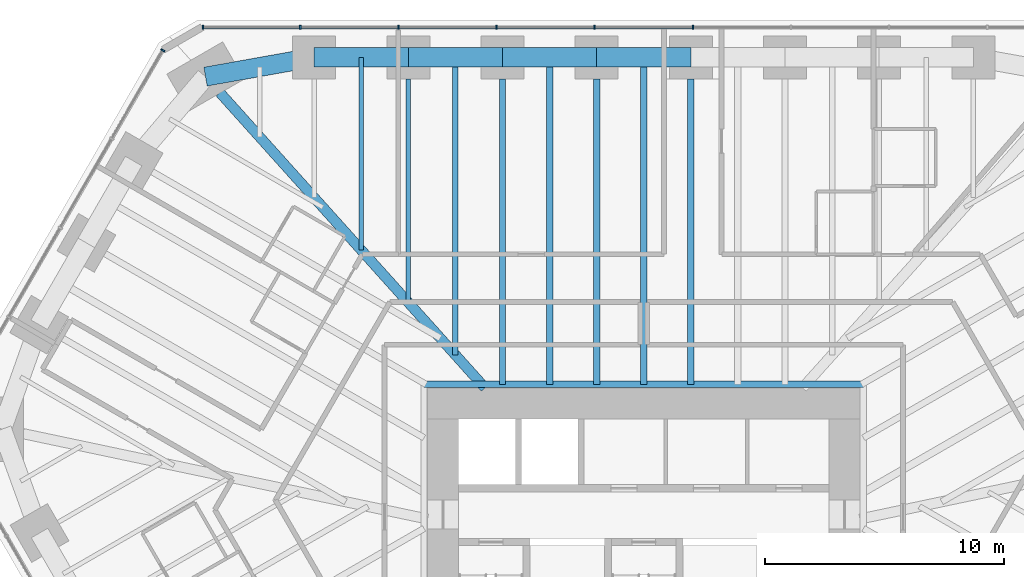
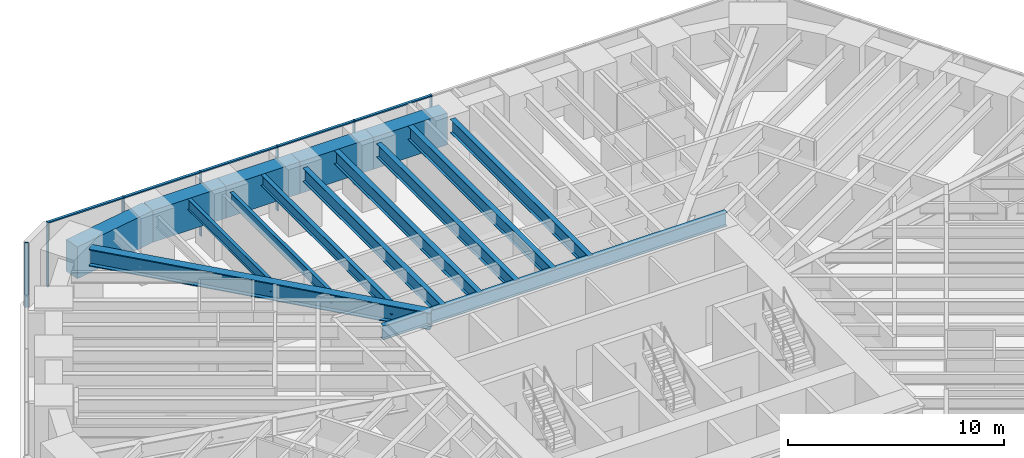
# One storey, part 8 of 16: 15 beams, 12 members, 2 elements without a shape of their own.
"""IFC4 building model written with IfcOpenShell, lengths in metres."""

from ifc_helpers import new_model, si_unit, direction, frame, origin, origin_2d, place, context, subcontext, project, spatial, rectangle, i_section, extrude, material, material_profile, profile_set, type_object, element, aggregate, save


model = new_model("IFC4")

# Units and contexts
model_context = context("Model", 3, precision=1e-05, world=origin(), true_north=direction((0.0, 1.0)))
body_context = subcontext(model_context, "Body", "Model", "MODEL_VIEW")
ifc_project = project(units=[si_unit("LENGTHUNIT", "METRE"), si_unit("AREAUNIT", "SQUARE_METRE"), si_unit("VOLUMEUNIT", "CUBIC_METRE"), si_unit("PLANEANGLEUNIT", "RADIAN"), si_unit("MASSUNIT", "GRAM", prefix="KILO")], contexts=[model_context])

# Site, building, storey
site_placement = place(None, origin())
site = spatial("IfcSite", under=ifc_project, at=site_placement, CompositionType="ELEMENT")
building_placement = place(site_placement, origin())
building = spatial("IfcBuilding", under=site, at=building_placement, Name="Sandreach Pilgrim Tower", CompositionType="ELEMENT")
storey_placement = place(building_placement, frame((0.0, 0.0, 134.800048828125)))
storey = spatial("IfcBuildingStorey", under=building, at=storey_placement, Name="L33", CompositionType="ELEMENT", Elevation=134.800048828125)

# Curtain wall, members
ifc_material_1 = material(Name="Aluminium framed curtain wall", Category="aluminium")
curtain_wall_type = type_object("IfcCurtainWallType", Name="Hotel tower curtain wall", PredefinedType="NOTDEFINED", material=ifc_material_1)
curtain_wall_1_placement = place(storey_placement, origin())
curtain_wall_1 = element("IfcCurtainWall", 1, at=curtain_wall_1_placement, inside=storey, type_object=curtain_wall_type, Name="CW-2 L33 N", PredefinedType="NOTDEFINED")
ifc_material_2 = material(Name="Aluminium extrusion", Category="aluminium")
ifc_material_profile_1 = material_profile(ifc_material_2, rectangle(XDim=0.06494140625, YDim=0.179931640625, at=origin_2d()), Name="CW-2M 65X180")
ifc_profile_set_1 = profile_set([ifc_material_profile_1], Name="Aluminium extrusion")
member_type_1 = type_object("IfcMemberType", Name="CW-2 mullion", PredefinedType="MULLION", material=ifc_profile_set_1)
member_1_placement = place(storey_placement, frame((-18.448974609375, 22.493896484375, 0.0), z_axis=(0.0, 0.0, 1.0), x_axis=(1.0, 0.0, 0.0)))
member_1 = element("IfcMember", 2, at=member_1_placement, type_object=member_type_1, Name="CW-2 mullion 1", PredefinedType="MULLION", context=body_context, shape_type="SweptSolid", body=[
    extrude(rectangle(XDim=0.06494140625, YDim=0.179931640625, at=origin_2d()), origin(), (0.0, 0.0, 1.0), 3.639892578125),
])
member_2_placement = place(storey_placement, frame((-14.37451171875, 22.493896484375, 0.0), z_axis=(0.0, 0.0, 1.0), x_axis=(1.0, 0.0, 0.0)))
member_2 = element("IfcMember", 3, at=member_2_placement, type_object=member_type_1, Name="CW-2 mullion 2", PredefinedType="MULLION", context=body_context, shape_type="SweptSolid", body=[
    extrude(rectangle(XDim=0.06494140625, YDim=0.179931640625, at=origin_2d()), origin(), (0.0, 0.0, 1.0), 3.639892578125),
])
member_3_placement = place(storey_placement, frame((-10.267333984375, 22.493896484375, 0.0), z_axis=(0.0, 0.0, 1.0), x_axis=(1.0, 0.0, 0.0)))
member_3 = element("IfcMember", 4, at=member_3_placement, type_object=member_type_1, Name="CW-2 mullion 3", PredefinedType="MULLION", context=body_context, shape_type="SweptSolid", body=[
    extrude(rectangle(XDim=0.06494140625, YDim=0.179931640625, at=origin_2d()), origin(), (0.0, 0.0, 1.0), 3.639892578125),
])
member_4_placement = place(storey_placement, frame((-6.160400390625, 22.493896484375, 0.0), z_axis=(0.0, 0.0, 1.0), x_axis=(1.0, 0.0, 0.0)))
member_4 = element("IfcMember", 5, at=member_4_placement, type_object=member_type_1, Name="CW-2 mullion 4", PredefinedType="MULLION", context=body_context, shape_type="SweptSolid", body=[
    extrude(rectangle(XDim=0.06494140625, YDim=0.179931640625, at=origin_2d()), origin(), (0.0, 0.0, 1.0), 3.639892578125),
])
member_5_placement = place(storey_placement, frame((-2.053466796875, 22.493896484375, 0.0), z_axis=(0.0, 0.0, 1.0), x_axis=(1.0, 0.0, 0.0)))
member_5 = element("IfcMember", 6, at=member_5_placement, type_object=member_type_1, Name="CW-2 mullion 5", PredefinedType="MULLION", context=body_context, shape_type="SweptSolid", body=[
    extrude(rectangle(XDim=0.06494140625, YDim=0.179931640625, at=origin_2d()), origin(), (0.0, 0.0, 1.0), 3.639892578125),
])
member_6_placement = place(storey_placement, frame((2.053466796875, 22.493896484375, 0.0), z_axis=(0.0, 0.0, 1.0), x_axis=(1.0, 0.0, 0.0)))
member_6 = element("IfcMember", 7, at=member_6_placement, type_object=member_type_1, Name="CW-2 mullion 6", PredefinedType="MULLION", context=body_context, shape_type="SweptSolid", body=[
    extrude(rectangle(XDim=0.06494140625, YDim=0.179931640625, at=origin_2d()), origin(), (0.0, 0.0, 1.0), 3.639892578125),
])

# Curtain wall, member
curtain_wall_2_placement = place(storey_placement, origin())
curtain_wall_2 = element("IfcCurtainWall", 8, at=curtain_wall_2_placement, inside=storey, type_object=curtain_wall_type, Name="CW-2 L33 NW", PredefinedType="NOTDEFINED")
member_7_placement = place(storey_placement, frame((-20.125732421875, 21.525634765625, 0.0), z_axis=(0.0, 0.0, 1.0), x_axis=(0.5, 0.866025403784, 0.0)))
member_7 = element("IfcMember", 9, at=member_7_placement, type_object=member_type_1, Name="CW-2 mullion 5", PredefinedType="MULLION", context=body_context, shape_type="SweptSolid", body=[
    extrude(rectangle(XDim=0.06494140625, YDim=0.179931640625, at=origin_2d()), origin(), (0.0, 0.0, 1.0), 3.639892578125),
])
aggregate(curtain_wall_2, [member_7])

# Member
ifc_material_3 = material(Name="Aluminium extrusion", Category="aluminium")
ifc_material_profile_2 = material_profile(ifc_material_3, rectangle(XDim=0.139892578125, YDim=0.070068359375, at=origin_2d()), Name="CW-2T 140X70")
ifc_profile_set_2 = profile_set([ifc_material_profile_2], Name="Aluminium extrusion")
member_type_2 = type_object("IfcMemberType", Name="CW-2 transom", PredefinedType="USERDEFINED", material=ifc_profile_set_2)
member_8_placement = place(storey_placement, frame((-18.416259765625, 22.493896484375, 3.60498046875), z_axis=(1.0, 0.0, 0.0), x_axis=(0.0, 1.0, 0.0)))
member_8 = element("IfcMember", 10, at=member_8_placement, type_object=member_type_2, Name="CW-2 head transom 1", ObjectType="TRANSOM", PredefinedType="USERDEFINED", context=body_context, shape_type="SweptSolid", body=[
    extrude(rectangle(XDim=0.139892578125, YDim=0.070068359375, at=origin_2d()), origin(), (0.0, 0.0, 1.0), 4.00927734375),
])

member_9_placement = place(storey_placement, frame((-14.341796875, 22.493896484375, 3.60498046875), z_axis=(1.0, 0.0, 0.0), x_axis=(0.0, 1.0, 0.0)))
member_9 = element("IfcMember", 11, at=member_9_placement, type_object=member_type_2, Name="CW-2 head transom 2", ObjectType="TRANSOM", PredefinedType="USERDEFINED", context=body_context, shape_type="SweptSolid", body=[
    extrude(rectangle(XDim=0.139892578125, YDim=0.070068359375, at=origin_2d()), origin(), (0.0, 0.0, 1.0), 4.041748046875),
])

member_10_placement = place(storey_placement, frame((-10.23486328125, 22.493896484375, 3.60498046875), z_axis=(1.0, 0.0, 0.0), x_axis=(0.0, 1.0, 0.0)))
member_10 = element("IfcMember", 12, at=member_10_placement, type_object=member_type_2, Name="CW-2 head transom 3", ObjectType="TRANSOM", PredefinedType="USERDEFINED", context=body_context, shape_type="SweptSolid", body=[
    extrude(rectangle(XDim=0.139892578125, YDim=0.070068359375, at=origin_2d()), origin(), (0.0, 0.0, 1.0), 4.0419921875),
])

member_11_placement = place(storey_placement, frame((-6.1279296875, 22.493896484375, 3.60498046875), z_axis=(1.0, 0.0, 0.0), x_axis=(0.0, 1.0, 0.0)))
member_11 = element("IfcMember", 13, at=member_11_placement, type_object=member_type_2, Name="CW-2 head transom 4", ObjectType="TRANSOM", PredefinedType="USERDEFINED", context=body_context, shape_type="SweptSolid", body=[
    extrude(rectangle(XDim=0.139892578125, YDim=0.070068359375, at=origin_2d()), origin(), (0.0, 0.0, 1.0), 4.0419921875),
])

member_12_placement = place(storey_placement, frame((-2.02099609375, 22.493896484375, 3.60498046875), z_axis=(1.0, 0.0, 0.0), x_axis=(0.0, 1.0, 0.0)))
member_12 = element("IfcMember", 14, at=member_12_placement, type_object=member_type_2, Name="CW-2 head transom 5", ObjectType="TRANSOM", PredefinedType="USERDEFINED", context=body_context, shape_type="SweptSolid", body=[
    extrude(rectangle(XDim=0.139892578125, YDim=0.070068359375, at=origin_2d()), origin(), (0.0, 0.0, 1.0), 4.0419921875),
])

aggregate(curtain_wall_1, [member_1, member_2, member_3, member_4, member_5, member_6, member_8, member_9, member_10, member_11, member_12])

# Beams
ifc_material_4 = material(Name="Steel ASTM A992 Grade 50", Category="steel")
ifc_material_profile_3 = material_profile(ifc_material_4, i_section(OverallWidth=0.2666015625, OverallDepth=0.77978515625, WebThickness=0.0166015625, FlangeThickness=0.030029296875, at=origin_2d()), Name="W30X148")
ifc_profile_set_3 = profile_set([ifc_material_profile_3], Name="Steel ASTM A992 Grade 50")
beam_type_1 = type_object("IfcBeamType", Name="Core edge beam W30X148", PredefinedType="BEAM", material=ifc_profile_set_3)
beam_1_placement = place(storey_placement, frame((-9.193359375, 7.54345703125, 3.25), z_axis=(1.0, 0.0, 0.0), x_axis=(0.0, 1.0, 0.0)))
element("IfcBeam", 15, at=beam_1_placement, inside=storey, type_object=beam_type_1, Name="BM L33 CEN", PredefinedType="BEAM", context=body_context, shape_type="SweptSolid", body=[
    extrude(i_section(OverallWidth=0.2666015625, OverallDepth=0.77978515625, WebThickness=0.0166015625, FlangeThickness=0.030029296875, at=origin_2d()), origin(), (0.0, 0.0, 1.0), 18.38671875),
])
ifc_material_5 = material(Name="Steel ASTM A992 Grade 50", Category="steel")
ifc_material_profile_4 = material_profile(ifc_material_5, i_section(OverallWidth=0.424072265625, OverallDepth=0.965087890625, WebThickness=0.028564453125, FlangeThickness=0.051025390625, at=origin_2d()), Name="W36X361")
ifc_profile_set_4 = profile_set([ifc_material_profile_4], Name="Steel ASTM A992 Grade 50")
beam_type_2 = type_object("IfcBeamType", Name="Corner girder W36X361", PredefinedType="BEAM", material=ifc_profile_set_4)
beam_2_placement = place(storey_placement, frame((-17.738037109375, 19.754150390625, 3.157470703125), z_axis=(0.66811374471, -0.74405915365, 0.0), x_axis=(0.74405915365, 0.66811374471, 0.0)))
element("IfcBeam", 16, at=beam_2_placement, inside=storey, type_object=beam_type_2, Name="BM L33 CG39", PredefinedType="BEAM", context=body_context, shape_type="SweptSolid", body=[
    extrude(i_section(OverallWidth=0.424072265625, OverallDepth=0.965087890625, WebThickness=0.028564453125, FlangeThickness=0.051025390625, at=origin_2d()), origin(), (0.0, 0.0, 1.0), 16.603759765625),
])
ifc_material_6 = material(Name="Steel ASTM A992 Grade 50", Category="steel")
ifc_material_profile_5 = material_profile(ifc_material_6, i_section(OverallWidth=0.1787109375, OverallDepth=0.60205078125, WebThickness=0.010986328125, FlangeThickness=0.014892578125, at=origin_2d()), Name="W24X62")
ifc_profile_set_5 = profile_set([ifc_material_profile_5], Name="Steel ASTM A992 Grade 50")
beam_type_3 = type_object("IfcBeamType", Name="Floor beam W24X62", PredefinedType="BEAM", material=ifc_profile_set_5)
beam_3_placement = place(storey_placement, frame((-9.849853515625, 20.333740234375, 3.3388671875), z_axis=(0.0, -1.0, 0.0), x_axis=(1.0, 0.0, 0.0)))
element("IfcBeam", 17, at=beam_3_placement, inside=storey, type_object=beam_type_3, Name="BM L33 F02", PredefinedType="BEAM", context=body_context, shape_type="SweptSolid", body=[
    extrude(i_section(OverallWidth=0.1787109375, OverallDepth=0.60205078125, WebThickness=0.010986328125, FlangeThickness=0.014892578125, at=origin_2d()), origin(), (0.0, 0.0, 1.0), 9.3642578125),
])
beam_4_placement = place(storey_placement, frame((-11.81982421875, 21.23388671875, 3.3388671875), z_axis=(0.0, -1.0, 0.0), x_axis=(1.0, 0.0, 0.0)))
element("IfcBeam", 18, at=beam_4_placement, inside=storey, type_object=beam_type_3, Name="BM L33 FM01", PredefinedType="BEAM", context=body_context, shape_type="SweptSolid", body=[
    extrude(i_section(OverallWidth=0.1787109375, OverallDepth=0.60205078125, WebThickness=0.010986328125, FlangeThickness=0.014892578125, at=origin_2d()), origin(), (0.0, 0.0, 1.0), 8.070556640625),
])
ifc_material_7 = material(Name="Steel ASTM A992 Grade 50", Category="steel")
ifc_material_profile_6 = material_profile(ifc_material_7, i_section(OverallWidth=0.23046875, OverallDepth=0.6171875, WebThickness=0.01318359375, FlangeThickness=0.022216796875, at=origin_2d()), Name="W24X94")
ifc_profile_set_6 = profile_set([ifc_material_profile_6], Name="Steel ASTM A992 Grade 50")
beam_type_4 = type_object("IfcBeamType", Name="Floor beam W24X94", PredefinedType="BEAM", material=ifc_profile_set_6)
beam_5_placement = place(storey_placement, frame((-7.8798828125, 21.23388671875, 3.331298828125), z_axis=(0.0, -1.0, 0.0), x_axis=(1.0, 0.0, 0.0)))
element("IfcBeam", 19, at=beam_5_placement, inside=storey, type_object=beam_type_4, Name="BM L33 FM02", PredefinedType="BEAM", context=body_context, shape_type="SweptSolid", body=[
    extrude(i_section(OverallWidth=0.23046875, OverallDepth=0.6171875, WebThickness=0.01318359375, FlangeThickness=0.022216796875, at=origin_2d()), origin(), (0.0, 0.0, 1.0), 12.458251953125),
])
ifc_material_8 = material(Name="Steel ASTM A992 Grade 50", Category="steel")
ifc_material_profile_7 = material_profile(ifc_material_8, i_section(OverallWidth=0.2666015625, OverallDepth=0.761962890625, WebThickness=0.014404296875, FlangeThickness=0.021484375, at=origin_2d()), Name="W30X116")
ifc_profile_set_7 = profile_set([ifc_material_profile_7], Name="Steel ASTM A992 Grade 50")
beam_type_5 = type_object("IfcBeamType", Name="Floor beam W30X116", PredefinedType="BEAM", material=ifc_profile_set_7)
for number, where, z_axis, x_axis, name in (
    (20, (-5.909912109375, 20.333740234375, 3.259033203125), (0.0, -1.0, 0.0), (1.0, 0.0, 0.0), "BM L33 F03"),
    (21, (-1.969970703125, 20.333740234375, 3.259033203125), (0.0, -1.0, 0.0), (1.0, 0.0, 0.0), "BM L33 F04"),
    (22, (1.969970703125, 20.333740234375, 3.259033203125), (0.0, -1.0, 0.0), (1.0, 0.0, 0.0), "BM L33 F05"),
):
    element("IfcBeam", number, at=place(storey_placement, frame(where, z_axis=z_axis, x_axis=x_axis)), inside=storey, type_object=beam_type_5, Name=name, PredefinedType="BEAM", context=body_context, shape_type="SweptSolid", body=[
        extrude(i_section(OverallWidth=0.2666015625, OverallDepth=0.761962890625, WebThickness=0.014404296875, FlangeThickness=0.021484375, at=origin_2d()), origin(), (0.0, 0.0, 1.0), 12.790283203125),
    ])
for number, where, z_axis, x_axis, name in (
    (23, (-3.93994140625, 21.23388671875, 3.259033203125), (0.0, -1.0, 0.0), (1.0, 0.0, 0.0), "BM L33 FM03"),
    (24, (0.0, 21.23388671875, 3.259033203125), (0.0, -1.0, 0.0), (1.0, 0.0, 0.0), "BM L33 FM04"),
):
    element("IfcBeam", number, at=place(storey_placement, frame(where, z_axis=z_axis, x_axis=x_axis)), inside=storey, type_object=beam_type_5, Name=name, PredefinedType="BEAM", context=body_context, shape_type="SweptSolid", body=[
        extrude(i_section(OverallWidth=0.2666015625, OverallDepth=0.761962890625, WebThickness=0.014404296875, FlangeThickness=0.021484375, at=origin_2d()), origin(), (0.0, 0.0, 1.0), 13.6904296875),
    ])
ifc_material_9 = material(Name="Concrete 10000 psi", Category="concrete")
ifc_material_profile_8 = material_profile(ifc_material_9, rectangle(XDim=0.800048828125, YDim=1.800048828125, at=origin_2d()), Name="RC800X1800")
ifc_profile_set_8 = profile_set([ifc_material_profile_8], Name="Concrete 10000 psi")
beam_type_6 = type_object("IfcBeamType", Name="Spandrel beam RC800X1800", PredefinedType="SPANDREL", material=ifc_profile_set_8)
for number, where, z_axis, x_axis, name in (
    (25, (-13.789794921875, 21.23388671875, 2.739990234375), (1.0, 0.0, 0.0), (0.0, 1.0, 0.0), "BM L33 SP01"),
    (26, (-9.849853515625, 21.23388671875, 2.739990234375), (1.0, 0.0, 0.0), (0.0, 1.0, 0.0), "BM L33 SP02"),
    (27, (-5.909912109375, 21.23388671875, 2.739990234375), (1.0, 0.0, 0.0), (0.0, 1.0, 0.0), "BM L33 SP03"),
    (28, (-1.969970703125, 21.23388671875, 2.739990234375), (1.0, 0.0, 0.0), (0.0, 1.0, 0.0), "BM L33 SP04"),
):
    element("IfcBeam", number, at=place(storey_placement, frame(where, z_axis=z_axis, x_axis=x_axis)), inside=storey, type_object=beam_type_6, Name=name, PredefinedType="SPANDREL", context=body_context, shape_type="SweptSolid", body=[
        extrude(rectangle(XDim=0.800048828125, YDim=1.800048828125, at=origin_2d()), origin(), (0.0, 0.0, 1.0), 3.93994140625),
    ])
beam_6_placement = place(storey_placement, frame((-18.33935546875, 20.423828125, 2.739990234375), z_axis=(0.984515938739, 0.175295083699, 0.0), x_axis=(-0.175295083699, 0.984515938739, 0.0)))
element("IfcBeam", 29, at=beam_6_placement, inside=storey, type_object=beam_type_6, Name="BM L33 SP39", PredefinedType="SPANDREL", context=body_context, shape_type="SweptSolid", body=[
    extrude(rectangle(XDim=0.800048828125, YDim=1.800048828125, at=origin_2d()), origin(), (0.0, 0.0, 1.0), 4.62109375),
])

save(model, "model.ifc")
